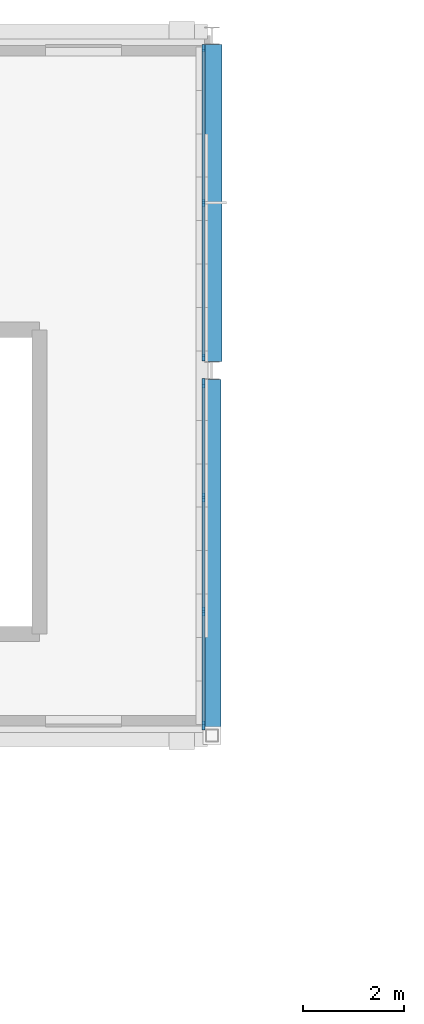
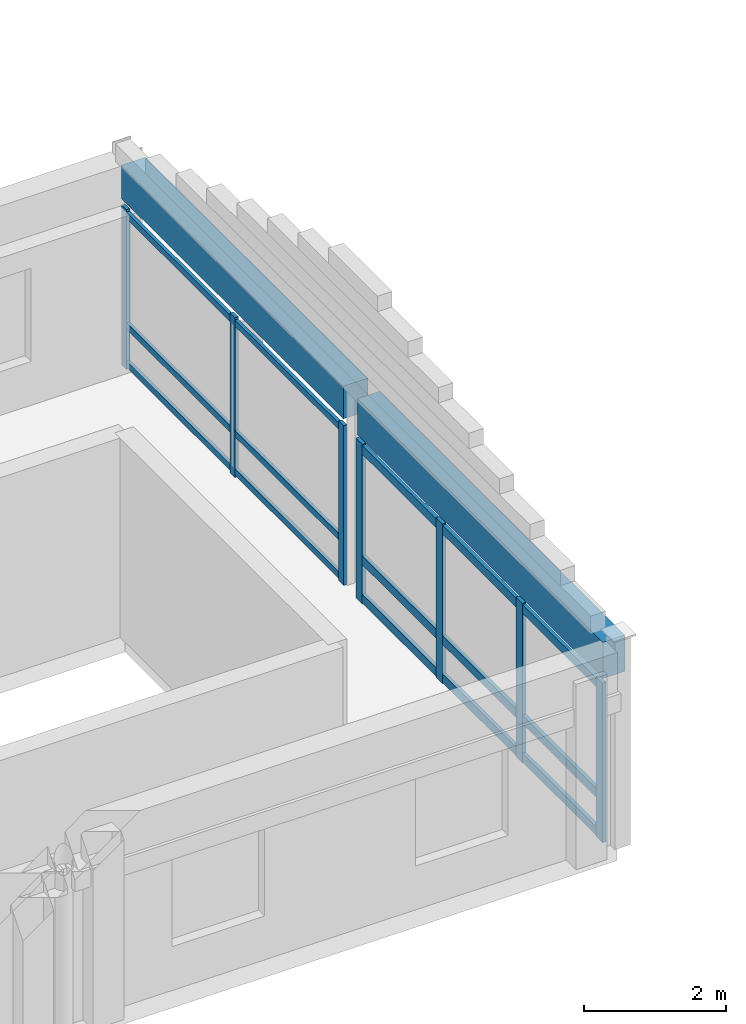
# One storey, part 23 of 52: 22 members, 2 beams, 2 elements without a shape of their own.
"""IFC4 building model written with IfcOpenShell, lengths in metres."""

from ifc_helpers import new_model, si_unit, direction, frame, origin, origin_2d, place, context, subcontext, project, spatial, rectangle, extrude, material, material_profile, profile_set, type_object, element, aggregate, save


model = new_model("IFC4")

# Units and contexts
model_context = context("Model", 3, precision=1e-05, world=origin(), true_north=direction((0.0, 1.0)))
body_context = subcontext(model_context, "Body", "Model", "MODEL_VIEW")
ifc_project = project(units=[si_unit("LENGTHUNIT", "METRE"), si_unit("AREAUNIT", "SQUARE_METRE"), si_unit("VOLUMEUNIT", "CUBIC_METRE"), si_unit("PLANEANGLEUNIT", "RADIAN"), si_unit("MASSUNIT", "GRAM", prefix="KILO")], contexts=[model_context])

# Site, building, storey
site_placement = place(None, origin())
site = spatial("IfcSite", under=ifc_project, at=site_placement, CompositionType="ELEMENT")
building_placement = place(site_placement, origin())
building = spatial("IfcBuilding", under=site, at=building_placement, Name="Clarverna Civic Hall", CompositionType="ELEMENT")
storey_placement = place(building_placement, frame((0.0, 0.0, 16.800048828125)))
storey = spatial("IfcBuildingStorey", under=building, at=storey_placement, Name="L04", CompositionType="ELEMENT", Elevation=16.800048828125)

# Beams
ifc_material_1 = material(Name="Concrete C35/45", Category="concrete")
ifc_material_profile_1 = material_profile(ifc_material_1, rectangle(XDim=0.360107421875, YDim=0.6201171875, at=origin_2d()), Name="RC 360x620")
ifc_profile_set_1 = profile_set([ifc_material_profile_1], Name="Concrete C35/45")
beam_type_1 = type_object("IfcBeamType", Name="B-SP3", PredefinedType="SPANDREL", material=ifc_profile_set_1)
beam_1_placement = place(storey_placement, frame((66.60009765625, 102.324951171875, 3.10986328125), z_axis=(0.0, 1.0, 0.0), x_axis=(-1.0, 0.0, 0.0)))
element("IfcBeam", 1, at=beam_1_placement, inside=storey, type_object=beam_type_1, Name="B-SP3-144", PredefinedType="SPANDREL", context=body_context, shape_type="SweptSolid", body=[
    extrude(rectangle(XDim=0.360107421875, YDim=0.6201171875, at=origin_2d()), origin(), (0.0, 0.0, 1.0), 6.89501953125),
])
ifc_material_profile_2 = material_profile(ifc_material_1, rectangle(XDim=0.39990234375, YDim=0.56005859375, at=origin_2d()), Name="RC 400x560")
ifc_profile_set_2 = profile_set([ifc_material_profile_2], Name="Concrete C35/45")
beam_type_2 = type_object("IfcBeamType", Name="B-SP4", PredefinedType="SPANDREL", material=ifc_profile_set_2)
beam_2_placement = place(storey_placement, frame((66.60009765625, 109.580078125, 3.139892578125), z_axis=(0.0, 1.0, 0.0), x_axis=(-1.0, 0.0, 0.0)))
element("IfcBeam", 2, at=beam_2_placement, inside=storey, type_object=beam_type_2, Name="B-SP4-143", PredefinedType="SPANDREL", context=body_context, shape_type="SweptSolid", body=[
    extrude(rectangle(XDim=0.39990234375, YDim=0.56005859375, at=origin_2d()), origin(), (0.0, 0.0, 1.0), 6.25),
])

# Curtain wall, members
ifc_material_2 = material(Name="Anodised Bronze Architectural Aluminium", Category="aluminium")
curtain_wall_type = type_object("IfcCurtainWallType", Name="CW-05", PredefinedType="USERDEFINED", material=ifc_material_2)
curtain_wall_1_placement = place(storey_placement, origin())
curtain_wall_1 = element("IfcCurtainWall", 3, at=curtain_wall_1_placement, inside=storey, type_object=curtain_wall_type, Name="CW-05-031", ObjectType="UNITISED CURTAIN WALL", PredefinedType="USERDEFINED")
ifc_material_profile_3 = material_profile(ifc_material_2, rectangle(XDim=0.06005859375, YDim=0.179931640625, at=origin_2d()), Name="BRONZE 60x180")
ifc_profile_set_3 = profile_set([ifc_material_profile_3], Name="Anodised Bronze Architectural Aluminium")
member_type_1 = type_object("IfcMemberType", Name="CWM-01", PredefinedType="MULLION", material=ifc_profile_set_3)
member_1_placement = place(storey_placement, frame((66.43505859375, 109.14697265625, 0.0), z_axis=(0.0, 0.0, 1.0), x_axis=(1.0, 0.0, 0.0)))
member_1 = element("IfcMember", 4, at=member_1_placement, type_object=member_type_1, Name="CWM-01-190", PredefinedType="MULLION", context=body_context, shape_type="SweptSolid", body=[
    extrude(rectangle(XDim=0.06005859375, YDim=0.179931640625, at=origin_2d()), origin(), (0.0, 0.0, 1.0), 2.739990234375),
])
member_2_placement = place(storey_placement, frame((66.43505859375, 106.897216796875, 0.0), z_axis=(0.0, 0.0, 1.0), x_axis=(1.0, 0.0, 0.0)))
member_2 = element("IfcMember", 5, at=member_2_placement, type_object=member_type_1, Name="CWM-01-191", PredefinedType="MULLION", context=body_context, shape_type="SweptSolid", body=[
    extrude(rectangle(XDim=0.06005859375, YDim=0.179931640625, at=origin_2d()), origin(), (0.0, 0.0, 1.0), 2.739990234375),
])
member_3_placement = place(storey_placement, frame((66.43505859375, 104.647705078125, 0.0), z_axis=(0.0, 0.0, 1.0), x_axis=(1.0, 0.0, 0.0)))
member_3 = element("IfcMember", 6, at=member_3_placement, type_object=member_type_1, Name="CWM-01-192", PredefinedType="MULLION", context=body_context, shape_type="SweptSolid", body=[
    extrude(rectangle(XDim=0.06005859375, YDim=0.179931640625, at=origin_2d()), origin(), (0.0, 0.0, 1.0), 2.739990234375),
])
member_4_placement = place(storey_placement, frame((66.43505859375, 102.39794921875, 0.0), z_axis=(0.0, 0.0, 1.0), x_axis=(1.0, 0.0, 0.0)))
member_4 = element("IfcMember", 7, at=member_4_placement, type_object=member_type_1, Name="CWM-01-193", PredefinedType="MULLION", context=body_context, shape_type="SweptSolid", body=[
    extrude(rectangle(XDim=0.06005859375, YDim=0.179931640625, at=origin_2d()), origin(), (0.0, 0.0, 1.0), 2.739990234375),
])

curtain_wall_2_placement = place(storey_placement, origin())
curtain_wall_2 = element("IfcCurtainWall", 8, at=curtain_wall_2_placement, inside=storey, type_object=curtain_wall_type, Name="CW-05-030", ObjectType="UNITISED CURTAIN WALL", PredefinedType="USERDEFINED")
ifc_material_profile_4 = material_profile(ifc_material_2, rectangle(XDim=0.054931640625, YDim=0.139892578125, at=origin_2d()), Name="BRONZE 55x140")
ifc_profile_set_4 = profile_set([ifc_material_profile_4], Name="Anodised Bronze Architectural Aluminium")
member_type_2 = type_object("IfcMemberType", Name="CWM-04", PredefinedType="MULLION", material=ifc_profile_set_4)
member_5_placement = place(storey_placement, frame((66.43505859375, 115.757080078125, 0.0), z_axis=(0.0, 0.0, 1.0), x_axis=(1.0, 0.0, 0.0)))
member_5 = element("IfcMember", 9, at=member_5_placement, type_object=member_type_2, Name="CWM-04-215", PredefinedType="MULLION", context=body_context, shape_type="SweptSolid", body=[
    extrude(rectangle(XDim=0.054931640625, YDim=0.139892578125, at=origin_2d()), origin(), (0.0, 0.0, 1.0), 2.739990234375),
])
member_6_placement = place(storey_placement, frame((66.43505859375, 112.705078125, 0.0), z_axis=(0.0, 0.0, 1.0), x_axis=(1.0, 0.0, 0.0)))
member_6 = element("IfcMember", 10, at=member_6_placement, type_object=member_type_2, Name="CWM-04-216", PredefinedType="MULLION", context=body_context, shape_type="SweptSolid", body=[
    extrude(rectangle(XDim=0.054931640625, YDim=0.139892578125, at=origin_2d()), origin(), (0.0, 0.0, 1.0), 2.739990234375),
])
member_7_placement = place(storey_placement, frame((66.43505859375, 109.653076171875, 0.0), z_axis=(0.0, 0.0, 1.0), x_axis=(1.0, 0.0, 0.0)))
member_7 = element("IfcMember", 11, at=member_7_placement, type_object=member_type_2, Name="CWM-04-217", PredefinedType="MULLION", context=body_context, shape_type="SweptSolid", body=[
    extrude(rectangle(XDim=0.054931640625, YDim=0.139892578125, at=origin_2d()), origin(), (0.0, 0.0, 1.0), 2.739990234375),
])

# Member
ifc_material_profile_5 = material_profile(ifc_material_2, rectangle(XDim=0.06005859375, YDim=0.14990234375, at=origin_2d()), Name="BRONZE 60x150")
ifc_profile_set_5 = profile_set([ifc_material_profile_5], Name="Anodised Bronze Architectural Aluminium")
member_type_3 = type_object("IfcMemberType", Name="CWT-01", PredefinedType="USERDEFINED", material=ifc_profile_set_5)
member_8_placement = place(storey_placement, frame((66.43505859375, 109.132080078125, 0.094970703125), z_axis=(0.0, -1.0, 0.0), x_axis=(1.0, 0.0, 0.0)))
member_8 = element("IfcMember", 12, at=member_8_placement, type_object=member_type_3, Name="CWT-01-406", ObjectType="TRANSOM", PredefinedType="USERDEFINED", context=body_context, shape_type="SweptSolid", body=[
    extrude(rectangle(XDim=0.06005859375, YDim=0.14990234375, at=origin_2d()), origin(), (0.0, 0.0, 1.0), 2.2197265625),
])

member_9_placement = place(storey_placement, frame((66.43505859375, 109.132080078125, 0.75), z_axis=(0.0, -1.0, 0.0), x_axis=(1.0, 0.0, 0.0)))
member_9 = element("IfcMember", 13, at=member_9_placement, type_object=member_type_3, Name="CWT-01-407", ObjectType="TRANSOM", PredefinedType="USERDEFINED", context=body_context, shape_type="SweptSolid", body=[
    extrude(rectangle(XDim=0.06005859375, YDim=0.14990234375, at=origin_2d()), origin(), (0.0, 0.0, 1.0), 2.2197265625),
])

member_10_placement = place(storey_placement, frame((66.43505859375, 109.132080078125, 2.64501953125), z_axis=(0.0, -1.0, 0.0), x_axis=(1.0, 0.0, 0.0)))
member_10 = element("IfcMember", 14, at=member_10_placement, type_object=member_type_3, Name="CWT-01-408", ObjectType="TRANSOM", PredefinedType="USERDEFINED", context=body_context, shape_type="SweptSolid", body=[
    extrude(rectangle(XDim=0.06005859375, YDim=0.14990234375, at=origin_2d()), origin(), (0.0, 0.0, 1.0), 2.2197265625),
])

member_11_placement = place(storey_placement, frame((66.43505859375, 106.88232421875, 0.094970703125), z_axis=(0.0, -1.0, 0.0), x_axis=(1.0, 0.0, 0.0)))
member_11 = element("IfcMember", 15, at=member_11_placement, type_object=member_type_3, Name="CWT-01-409", ObjectType="TRANSOM", PredefinedType="USERDEFINED", context=body_context, shape_type="SweptSolid", body=[
    extrude(rectangle(XDim=0.06005859375, YDim=0.14990234375, at=origin_2d()), origin(), (0.0, 0.0, 1.0), 2.2197265625),
])

member_12_placement = place(storey_placement, frame((66.43505859375, 106.88232421875, 0.75), z_axis=(0.0, -1.0, 0.0), x_axis=(1.0, 0.0, 0.0)))
member_12 = element("IfcMember", 16, at=member_12_placement, type_object=member_type_3, Name="CWT-01-410", ObjectType="TRANSOM", PredefinedType="USERDEFINED", context=body_context, shape_type="SweptSolid", body=[
    extrude(rectangle(XDim=0.06005859375, YDim=0.14990234375, at=origin_2d()), origin(), (0.0, 0.0, 1.0), 2.2197265625),
])

member_13_placement = place(storey_placement, frame((66.43505859375, 106.88232421875, 2.64501953125), z_axis=(0.0, -1.0, 0.0), x_axis=(1.0, 0.0, 0.0)))
member_13 = element("IfcMember", 17, at=member_13_placement, type_object=member_type_3, Name="CWT-01-411", ObjectType="TRANSOM", PredefinedType="USERDEFINED", context=body_context, shape_type="SweptSolid", body=[
    extrude(rectangle(XDim=0.06005859375, YDim=0.14990234375, at=origin_2d()), origin(), (0.0, 0.0, 1.0), 2.2197265625),
])

member_14_placement = place(storey_placement, frame((66.43505859375, 104.6328125, 0.094970703125), z_axis=(0.0, -1.0, 0.0), x_axis=(1.0, 0.0, 0.0)))
member_14 = element("IfcMember", 18, at=member_14_placement, type_object=member_type_3, Name="CWT-01-412", ObjectType="TRANSOM", PredefinedType="USERDEFINED", context=body_context, shape_type="SweptSolid", body=[
    extrude(rectangle(XDim=0.06005859375, YDim=0.14990234375, at=origin_2d()), origin(), (0.0, 0.0, 1.0), 2.2197265625),
])

member_15_placement = place(storey_placement, frame((66.43505859375, 104.6328125, 0.75), z_axis=(0.0, -1.0, 0.0), x_axis=(1.0, 0.0, 0.0)))
member_15 = element("IfcMember", 19, at=member_15_placement, type_object=member_type_3, Name="CWT-01-413", ObjectType="TRANSOM", PredefinedType="USERDEFINED", context=body_context, shape_type="SweptSolid", body=[
    extrude(rectangle(XDim=0.06005859375, YDim=0.14990234375, at=origin_2d()), origin(), (0.0, 0.0, 1.0), 2.2197265625),
])

member_16_placement = place(storey_placement, frame((66.43505859375, 104.6328125, 2.64501953125), z_axis=(0.0, -1.0, 0.0), x_axis=(1.0, 0.0, 0.0)))
member_16 = element("IfcMember", 20, at=member_16_placement, type_object=member_type_3, Name="CWT-01-414", ObjectType="TRANSOM", PredefinedType="USERDEFINED", context=body_context, shape_type="SweptSolid", body=[
    extrude(rectangle(XDim=0.06005859375, YDim=0.14990234375, at=origin_2d()), origin(), (0.0, 0.0, 1.0), 2.2197265625),
])

aggregate(curtain_wall_1, [member_1, member_2, member_3, member_4, member_8, member_9, member_10, member_11, member_12, member_13, member_14, member_15, member_16])

ifc_material_profile_6 = material_profile(ifc_material_2, rectangle(XDim=0.054931640625, YDim=0.110107421875, at=origin_2d()), Name="BRONZE 55x110")
ifc_profile_set_6 = profile_set([ifc_material_profile_6], Name="Anodised Bronze Architectural Aluminium")
member_type_4 = type_object("IfcMemberType", Name="CWT-04", PredefinedType="USERDEFINED", material=ifc_profile_set_6)
member_17_placement = place(storey_placement, frame((66.43505859375, 115.741943359375, 0.094970703125), z_axis=(0.0, -1.0, 0.0), x_axis=(1.0, 0.0, 0.0)))
member_17 = element("IfcMember", 21, at=member_17_placement, type_object=member_type_4, Name="CWT-04-457", ObjectType="TRANSOM", PredefinedType="USERDEFINED", context=body_context, shape_type="SweptSolid", body=[
    extrude(rectangle(XDim=0.054931640625, YDim=0.110107421875, at=origin_2d()), origin(), (0.0, 0.0, 1.0), 3.02197265625),
])

member_18_placement = place(storey_placement, frame((66.43505859375, 115.741943359375, 0.75), z_axis=(0.0, -1.0, 0.0), x_axis=(1.0, 0.0, 0.0)))
member_18 = element("IfcMember", 22, at=member_18_placement, type_object=member_type_4, Name="CWT-04-458", ObjectType="TRANSOM", PredefinedType="USERDEFINED", context=body_context, shape_type="SweptSolid", body=[
    extrude(rectangle(XDim=0.054931640625, YDim=0.110107421875, at=origin_2d()), origin(), (0.0, 0.0, 1.0), 3.02197265625),
])

member_19_placement = place(storey_placement, frame((66.43505859375, 115.741943359375, 2.64501953125), z_axis=(0.0, -1.0, 0.0), x_axis=(1.0, 0.0, 0.0)))
member_19 = element("IfcMember", 23, at=member_19_placement, type_object=member_type_4, Name="CWT-04-459", ObjectType="TRANSOM", PredefinedType="USERDEFINED", context=body_context, shape_type="SweptSolid", body=[
    extrude(rectangle(XDim=0.054931640625, YDim=0.110107421875, at=origin_2d()), origin(), (0.0, 0.0, 1.0), 3.02197265625),
])

member_20_placement = place(storey_placement, frame((66.43505859375, 112.68994140625, 0.094970703125), z_axis=(0.0, -1.0, 0.0), x_axis=(1.0, 0.0, 0.0)))
member_20 = element("IfcMember", 24, at=member_20_placement, type_object=member_type_4, Name="CWT-04-460", ObjectType="TRANSOM", PredefinedType="USERDEFINED", context=body_context, shape_type="SweptSolid", body=[
    extrude(rectangle(XDim=0.054931640625, YDim=0.110107421875, at=origin_2d()), origin(), (0.0, 0.0, 1.0), 3.02197265625),
])

member_21_placement = place(storey_placement, frame((66.43505859375, 112.68994140625, 0.75), z_axis=(0.0, -1.0, 0.0), x_axis=(1.0, 0.0, 0.0)))
member_21 = element("IfcMember", 25, at=member_21_placement, type_object=member_type_4, Name="CWT-04-461", ObjectType="TRANSOM", PredefinedType="USERDEFINED", context=body_context, shape_type="SweptSolid", body=[
    extrude(rectangle(XDim=0.054931640625, YDim=0.110107421875, at=origin_2d()), origin(), (0.0, 0.0, 1.0), 3.02197265625),
])

member_22_placement = place(storey_placement, frame((66.43505859375, 112.68994140625, 2.64501953125), z_axis=(0.0, -1.0, 0.0), x_axis=(1.0, 0.0, 0.0)))
member_22 = element("IfcMember", 26, at=member_22_placement, type_object=member_type_4, Name="CWT-04-462", ObjectType="TRANSOM", PredefinedType="USERDEFINED", context=body_context, shape_type="SweptSolid", body=[
    extrude(rectangle(XDim=0.054931640625, YDim=0.110107421875, at=origin_2d()), origin(), (0.0, 0.0, 1.0), 3.02197265625),
])

aggregate(curtain_wall_2, [member_5, member_6, member_7, member_17, member_18, member_19, member_20, member_21, member_22])

save(model, "model.ifc")
